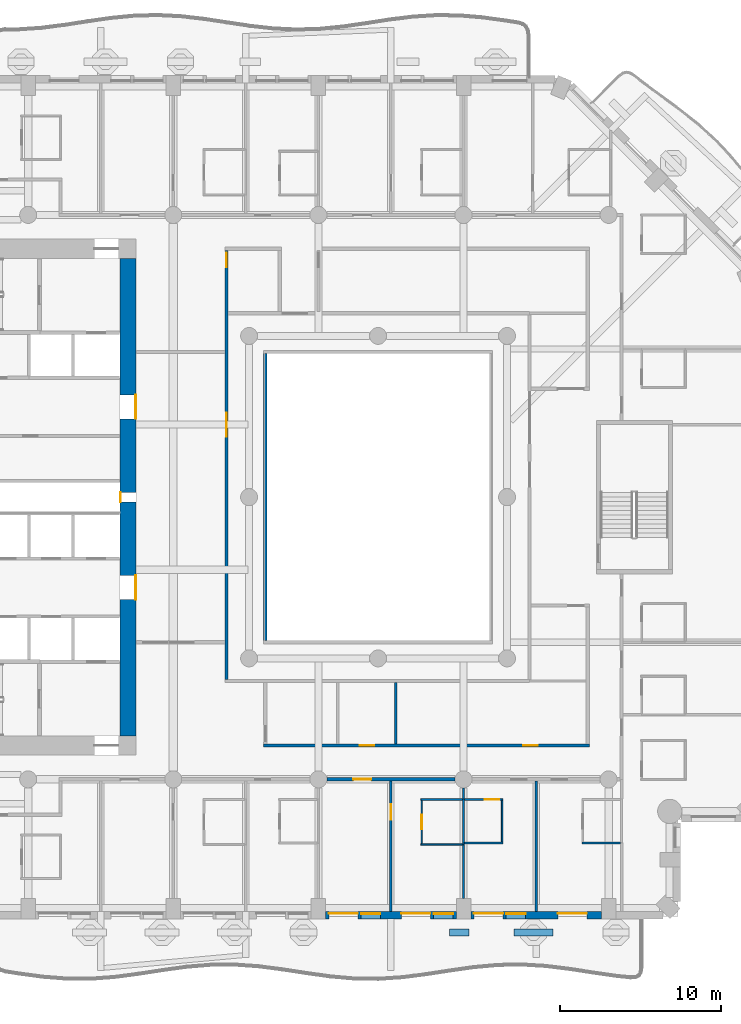
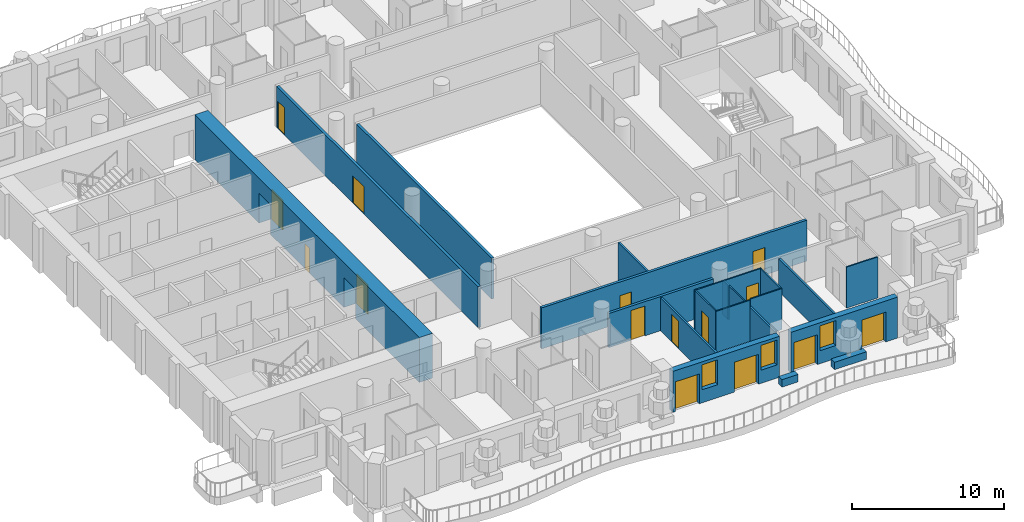
# One storey, part 5 of 20: 21 walls, 15 doors, 3 windows, 18 openings.
"""IFC4 building model written with IfcOpenShell, lengths in metres."""

from ifc_helpers import new_model, si_unit, direction, frame, frame_2d, origin, place, context, subcontext, project, spatial, rectangle, extrude, material, layer, layer_set, type_object, element, fill, save


model = new_model("IFC4")

# Units and contexts
model_context = context("Model", 3, precision=1e-05, world=origin(), true_north=direction((0.0, 1.0)))
body_context = subcontext(model_context, "Body", "Model", "MODEL_VIEW")
ifc_project = project(units=[si_unit("LENGTHUNIT", "METRE"), si_unit("AREAUNIT", "SQUARE_METRE"), si_unit("VOLUMEUNIT", "CUBIC_METRE"), si_unit("PLANEANGLEUNIT", "RADIAN"), si_unit("MASSUNIT", "GRAM", prefix="KILO")], contexts=[model_context])

# Site, building, storey
site_placement = place(None, origin())
site = spatial("IfcSite", under=ifc_project, at=site_placement, CompositionType="ELEMENT")
building_placement = place(site_placement, origin())
building = spatial("IfcBuilding", under=site, at=building_placement, Name="Cypress Arch Tower", CompositionType="ELEMENT")
storey_placement = place(building_placement, frame((0.0, 0.0, 113.10009765625)))
storey = spatial("IfcBuildingStorey", under=building, at=storey_placement, Name="L23", CompositionType="ELEMENT", Elevation=113.10009765625)

# Walls
ifc_material_1 = material(Name="Concrete C40/50, waterproofed", Category="concrete")
ifc_layer_1 = layer(ifc_material_1, 0.449951171875)
ifc_layer_set_1 = layer_set([ifc_layer_1], Name="Balcony planter wall PW450")
wall_type_1 = type_object("IfcWallType", Name="Balcony planter wall PW450", PredefinedType="SOLIDWALL", material=ifc_layer_set_1)
wall_1_placement = place(storey_placement, frame((5.419921875, -27.0, 0.0), z_axis=(0.0, 0.0, 1.0), x_axis=(1.0, 0.0, 0.0)))
element("IfcWall", 1, at=wall_1_placement, inside=storey, type_object=wall_type_1, Name="Balcony planter wall L23-A03.5", PredefinedType="SOLIDWALL", context=body_context, shape_type="SweptSolid", body=[
    extrude(rectangle(XDim=1.22998046875, YDim=0.449951171875, at=frame_2d((0.614990234375, 0.0))), origin(), (0.0, 0.0, 1.0), 0.599853515625),
])
wall_2_placement = place(storey_placement, frame((9.429931640625, -27.0, 0.0), z_axis=(0.0, 0.0, 1.0), x_axis=(1.0, 0.0, 0.0)))
element("IfcWall", 2, at=wall_2_placement, inside=storey, type_object=wall_type_1, Name="Balcony planter wall L23-A03.6", PredefinedType="SOLIDWALL", context=body_context, shape_type="SweptSolid", body=[
    extrude(rectangle(XDim=2.420166015625, YDim=0.449951171875, at=frame_2d((1.2099609375, 0.0))), origin(), (0.0, 0.0, 1.0), 0.599853515625),
])

# Wall, openings, doors, windows
ifc_material_2 = material(Name="Brick (red buff blend)", Category="masonry")
ifc_layer_2 = layer(ifc_material_2, 0.449951171875)
ifc_layer_set_2 = layer_set([ifc_layer_2], Name="Brick pier and spandrel wall BW450")
wall_type_2 = type_object("IfcWallType", Name="Brick pier and spandrel wall BW450", PredefinedType="SOLIDWALL", material=ifc_layer_set_2)
wall_3_placement = place(storey_placement, frame((-2.25, -25.925048828125, 0.0), z_axis=(0.0, 0.0, 1.0), x_axis=(1.0, 0.0, 0.0)))
wall_3 = element("IfcWall", 3, at=wall_3_placement, inside=storey, type_object=wall_type_2, Name="Brick wall L23 A03.3", PredefinedType="SOLIDWALL", context=body_context, shape_type="SweptSolid", body=[
    extrude(rectangle(XDim=8.10009765625, YDim=0.449951171875, at=frame_2d((4.050048828125, 0.0))), origin(), (0.0, 0.0, 1.0), 3.2998046875),
])
opening_1_placement = place(wall_3_placement, frame((0.199951171875, 0.0, 0.0)))
opening_1 = element("IfcOpeningElement", 4, at=opening_1_placement, cuts=wall_3, Name="Opening D-L23-A03.3.1", PredefinedType="OPENING", context=body_context, shape_type="SweptSolid", body=[
    extrude(rectangle(XDim=1.800048828125, YDim=2.39990234375, at=frame_2d((0.89990234375, 1.199951171875))), frame((0.0, 0.23486328125, 0.0), z_axis=(0.0, -1.0, 0.0), x_axis=(1.0, 0.0, 0.0)), (0.0, 0.0, 1.0), 0.469970703125),
])
opening_2_placement = place(wall_3_placement, frame((2.199951171875, 0.0, 1.050048828125)))
opening_2 = element("IfcOpeningElement", 5, at=opening_2_placement, cuts=wall_3, Name="Opening W120HD", PredefinedType="OPENING", context=body_context, shape_type="SweptSolid", body=[
    extrude(rectangle(XDim=1.199951171875, YDim=2.0, at=frame_2d((0.60009765625, 1.0))), frame((0.0, 0.23486328125, 0.0), z_axis=(0.0, -1.0, 0.0), x_axis=(1.0, 0.0, 0.0)), (0.0, 0.0, 1.0), 0.469970703125),
])
opening_3_placement = place(wall_3_placement, frame((4.699951171875, 0.0, 0.0)))
opening_3 = element("IfcOpeningElement", 6, at=opening_3_placement, cuts=wall_3, Name="Opening D-L23-A03.3.2", PredefinedType="OPENING", context=body_context, shape_type="SweptSolid", body=[
    extrude(rectangle(XDim=1.800048828125, YDim=2.39990234375, at=frame_2d((0.89990234375, 1.199951171875))), frame((0.0, 0.23486328125, 0.0), z_axis=(0.0, -1.0, 0.0), x_axis=(1.0, 0.0, 0.0)), (0.0, 0.0, 1.0), 0.469970703125),
])
opening_4_placement = place(wall_3_placement, frame((6.699951171875, 0.0, 1.050048828125)))
opening_4 = element("IfcOpeningElement", 7, at=opening_4_placement, cuts=wall_3, Name="Opening W120HD", PredefinedType="OPENING", context=body_context, shape_type="SweptSolid", body=[
    extrude(rectangle(XDim=1.199951171875, YDim=2.0, at=frame_2d((0.60009765625, 1.0))), frame((0.0, 0.23486328125, 0.0), z_axis=(0.0, -1.0, 0.0), x_axis=(1.0, 0.0, 0.0)), (0.0, 0.0, 1.0), 0.469970703125),
])
ifc_material_3 = material(Name="Anodised aluminium, bronze finish, laminated low-emissivity double glazing, large-missile impact rated", Category="aluminium")
door_type_1 = type_object("IfcDoorType", Name="Balcony sliding door 1800x2400", OperationType="SLIDING_TO_LEFT", PredefinedType="DOOR", material=ifc_material_3)
door_1_placement = place(opening_1_placement, origin())
door_1 = element("IfcDoor", 8, at=door_1_placement, inside=storey, type_object=door_type_1, Name="Balcony door L23 A03.3.1", OperationType="SLIDING_TO_LEFT", OverallHeight=2.39990234375, OverallWidth=1.800048828125, PredefinedType="DOOR", context=body_context, shape_type="SweptSolid", body=[
    extrude(rectangle(XDim=1.800048828125, YDim=2.39990234375, at=frame_2d((0.89990234375, 1.199951171875))), frame((0.0, 0.1298828125, 0.0), z_axis=(0.0, -1.0, 0.0), x_axis=(1.0, 0.0, 0.0)), (0.0, 0.0, 1.0), 0.050048828125),
])
fill(opening_1, door_1)
door_2_placement = place(opening_3_placement, origin())
door_2 = element("IfcDoor", 9, at=door_2_placement, inside=storey, type_object=door_type_1, Name="Balcony door L23 A03.3.2", OperationType="SLIDING_TO_LEFT", OverallHeight=2.39990234375, OverallWidth=1.800048828125, PredefinedType="DOOR", context=body_context, shape_type="SweptSolid", body=[
    extrude(rectangle(XDim=1.800048828125, YDim=2.39990234375, at=frame_2d((0.89990234375, 1.199951171875))), frame((0.0, 0.1298828125, 0.0), z_axis=(0.0, -1.0, 0.0), x_axis=(1.0, 0.0, 0.0)), (0.0, 0.0, 1.0), 0.050048828125),
])
fill(opening_3, door_2)
ifc_material_4 = material(Name="Anodised aluminium, bronze finish, laminated low-emissivity double glazing, large-missile impact rated", Category="aluminium")
window_type = type_object("IfcWindowType", Name="Window Hotel 1200x2000 debris-rated", PartitioningType="SINGLE_PANEL", PredefinedType="WINDOW", material=ifc_material_4)
window_1_placement = place(opening_2_placement, origin())
window_1 = element("IfcWindow", 10, at=window_1_placement, inside=storey, type_object=window_type, Name="Window L23 A03.3.1", OverallHeight=2.0, OverallWidth=1.199951171875, PartitioningType="SINGLE_PANEL", PredefinedType="WINDOW", context=body_context, shape_type="SweptSolid", body=[
    extrude(rectangle(XDim=1.199951171875, YDim=2.0, at=frame_2d((0.60009765625, 1.0))), frame((0.0, 0.135009765625, 0.0), z_axis=(0.0, -1.0, 0.0), x_axis=(1.0, 0.0, 0.0)), (0.0, 0.0, 1.0), 0.06005859375),
])
fill(opening_2, window_1)
window_2_placement = place(opening_4_placement, origin())
window_2 = element("IfcWindow", 11, at=window_2_placement, inside=storey, type_object=window_type, Name="Window L23 A03.3.2", OverallHeight=2.0, OverallWidth=1.199951171875, PartitioningType="SINGLE_PANEL", PredefinedType="WINDOW", context=body_context, shape_type="SweptSolid", body=[
    extrude(rectangle(XDim=1.199951171875, YDim=2.0, at=frame_2d((0.60009765625, 1.0))), frame((0.0, 0.135009765625, 0.0), z_axis=(0.0, -1.0, 0.0), x_axis=(1.0, 0.0, 0.0)), (0.0, 0.0, 1.0), 0.06005859375),
])
fill(opening_4, window_2)

# Wall, openings, doors, window
wall_4_placement = place(storey_placement, frame((6.75, -25.925048828125, 0.0), z_axis=(0.0, 0.0, 1.0), x_axis=(1.0, 0.0, 0.0)))
wall_4 = element("IfcWall", 12, at=wall_4_placement, inside=storey, type_object=wall_type_2, Name="Brick wall L23 A03.4", PredefinedType="SOLIDWALL", context=body_context, shape_type="SweptSolid", body=[
    extrude(rectangle(XDim=8.10009765625, YDim=0.449951171875, at=frame_2d((4.050048828125, 0.0))), origin(), (0.0, 0.0, 1.0), 3.2998046875),
])
opening_5_placement = place(wall_4_placement, frame((0.199951171875, 0.0, 0.0)))
opening_5 = element("IfcOpeningElement", 13, at=opening_5_placement, cuts=wall_4, Name="Opening D-L23-A03.4.1", PredefinedType="OPENING", context=body_context, shape_type="SweptSolid", body=[
    extrude(rectangle(XDim=1.800048828125, YDim=2.39990234375, at=frame_2d((0.89990234375, 1.199951171875))), frame((0.0, 0.23486328125, 0.0), z_axis=(0.0, -1.0, 0.0), x_axis=(1.0, 0.0, 0.0)), (0.0, 0.0, 1.0), 0.469970703125),
])
opening_6_placement = place(wall_4_placement, frame((2.199951171875, 0.0, 1.050048828125)))
opening_6 = element("IfcOpeningElement", 14, at=opening_6_placement, cuts=wall_4, Name="Opening W120HD", PredefinedType="OPENING", context=body_context, shape_type="SweptSolid", body=[
    extrude(rectangle(XDim=1.199951171875, YDim=2.0, at=frame_2d((0.60009765625, 1.0))), frame((0.0, 0.23486328125, 0.0), z_axis=(0.0, -1.0, 0.0), x_axis=(1.0, 0.0, 0.0)), (0.0, 0.0, 1.0), 0.469970703125),
])
opening_7_placement = place(wall_4_placement, frame((5.39990234375, 0.0, 0.0)))
opening_7 = element("IfcOpeningElement", 15, at=opening_7_placement, cuts=wall_4, Name="Opening D-L23-A03.4.2", PredefinedType="OPENING", context=body_context, shape_type="SweptSolid", body=[
    extrude(rectangle(XDim=1.800048828125, YDim=2.39990234375, at=frame_2d((0.89990234375, 1.199951171875))), frame((0.0, 0.23486328125, 0.0), z_axis=(0.0, -1.0, 0.0), x_axis=(1.0, 0.0, 0.0)), (0.0, 0.0, 1.0), 0.469970703125),
])
door_3_placement = place(opening_5_placement, origin())
door_3 = element("IfcDoor", 16, at=door_3_placement, inside=storey, type_object=door_type_1, Name="Balcony door L23 A03.4.1", OperationType="SLIDING_TO_LEFT", OverallHeight=2.39990234375, OverallWidth=1.800048828125, PredefinedType="DOOR", context=body_context, shape_type="SweptSolid", body=[
    extrude(rectangle(XDim=1.800048828125, YDim=2.39990234375, at=frame_2d((0.89990234375, 1.199951171875))), frame((0.0, 0.1298828125, 0.0), z_axis=(0.0, -1.0, 0.0), x_axis=(1.0, 0.0, 0.0)), (0.0, 0.0, 1.0), 0.050048828125),
])
fill(opening_5, door_3)
door_4_placement = place(opening_7_placement, origin())
door_4 = element("IfcDoor", 17, at=door_4_placement, inside=storey, type_object=door_type_1, Name="Balcony door L23 A03.4.2", OperationType="SLIDING_TO_LEFT", OverallHeight=2.39990234375, OverallWidth=1.800048828125, PredefinedType="DOOR", context=body_context, shape_type="SweptSolid", body=[
    extrude(rectangle(XDim=1.800048828125, YDim=2.39990234375, at=frame_2d((0.89990234375, 1.199951171875))), frame((0.0, 0.1298828125, 0.0), z_axis=(0.0, -1.0, 0.0), x_axis=(1.0, 0.0, 0.0)), (0.0, 0.0, 1.0), 0.050048828125),
])
fill(opening_7, door_4)
window_3_placement = place(opening_6_placement, origin())
window_3 = element("IfcWindow", 18, at=window_3_placement, inside=storey, type_object=window_type, Name="Window L23 A03.4.1", OverallHeight=2.0, OverallWidth=1.199951171875, PartitioningType="SINGLE_PANEL", PredefinedType="WINDOW", context=body_context, shape_type="SweptSolid", body=[
    extrude(rectangle(XDim=1.199951171875, YDim=2.0, at=frame_2d((0.60009765625, 1.0))), frame((0.0, 0.135009765625, 0.0), z_axis=(0.0, -1.0, 0.0), x_axis=(1.0, 0.0, 0.0)), (0.0, 0.0, 1.0), 0.06005859375),
])
fill(opening_6, window_3)

# Wall, openings, doors
ifc_material_5 = material(Name="Concrete C80/95", Category="concrete")
ifc_layer_3 = layer(ifc_material_5, 1.0)
ifc_layer_set_3 = layer_set([ifc_layer_3], Name="Core wall CW1000 C80/95")
wall_type_3 = type_object("IfcWallType", Name="Core wall CW1000 C80/95", PredefinedType="SHEAR", material=ifc_layer_set_3)
wall_5_placement = place(storey_placement, frame((-14.5, -14.800048828125, 0.0), z_axis=(0.0, 0.0, 1.0), x_axis=(0.0, 1.0, 0.0)))
wall_5 = element("IfcWall", 19, at=wall_5_placement, inside=storey, type_object=wall_type_3, Name="Core wall", PredefinedType="SHEAR", context=body_context, shape_type="SweptSolid", body=[
    extrude(rectangle(XDim=29.60009765625, YDim=1.0, at=frame_2d((14.800048828125, 0.0))), origin(), (0.0, 0.0, 1.0), 3.599853515625),
])
opening_8_placement = place(wall_5_placement, frame((8.449951171875, 0.0, 0.0)))
opening_8 = element("IfcOpeningElement", 20, at=opening_8_placement, cuts=wall_5, Name="Opening D07", PredefinedType="OPENING", context=body_context, shape_type="SweptSolid", body=[
    extrude(rectangle(XDim=1.5, YDim=2.39990234375, at=frame_2d((0.75, 1.199951171875))), frame((0.0, 0.510009765625, 0.0), z_axis=(0.0, -1.0, 0.0), x_axis=(1.0, 0.0, 0.0)), (0.0, 0.0, 1.0), 1.02001953125),
])
opening_9_placement = place(wall_5_placement, frame((19.64990234375, 0.0, 0.0)))
opening_9 = element("IfcOpeningElement", 21, at=opening_9_placement, cuts=wall_5, Name="Opening D07", PredefinedType="OPENING", context=body_context, shape_type="SweptSolid", body=[
    extrude(rectangle(XDim=1.5, YDim=2.39990234375, at=frame_2d((0.75, 1.199951171875))), frame((0.0, 0.510009765625, 0.0), z_axis=(0.0, -1.0, 0.0), x_axis=(1.0, 0.0, 0.0)), (0.0, 0.0, 1.0), 1.02001953125),
])
opening_10_placement = place(wall_5_placement, frame((14.5, 0.0, 0.0)))
opening_10 = element("IfcOpeningElement", 22, at=opening_10_placement, cuts=wall_5, Name="Opening D08", PredefinedType="OPENING", context=body_context, shape_type="SweptSolid", body=[
    extrude(rectangle(XDim=0.60009765625, YDim=2.0, at=frame_2d((0.300048828125, 1.0))), frame((0.0, 0.510009765625, 0.0), z_axis=(0.0, -1.0, 0.0), x_axis=(1.0, 0.0, 0.0)), (0.0, 0.0, 1.0), 1.02001953125),
])
ifc_material_6 = material(Name="Steel framed glazed door, fire resisting", Category="steel")
door_type_2 = type_object("IfcDoorType", Name="Lobby door D07 1500x2400", OperationType="DOUBLE_DOOR_SINGLE_SWING", PredefinedType="DOOR", material=ifc_material_6)
door_5_placement = place(opening_8_placement, origin())
door_5 = element("IfcDoor", 23, at=door_5_placement, inside=storey, type_object=door_type_2, Name="Lobby door", OperationType="DOUBLE_DOOR_SINGLE_SWING", OverallHeight=2.39990234375, OverallWidth=1.5, PredefinedType="DOOR", context=body_context, shape_type="SweptSolid", body=[
    extrude(rectangle(XDim=1.5, YDim=2.39990234375, at=frame_2d((0.75, 1.199951171875))), frame((0.0, -0.44482421875, 0.0), z_axis=(0.0, -1.0, 0.0), x_axis=(1.0, 0.0, 0.0)), (0.0, 0.0, 1.0), 0.050048828125),
])
fill(opening_8, door_5)
door_6_placement = place(opening_9_placement, origin())
door_6 = element("IfcDoor", 24, at=door_6_placement, inside=storey, type_object=door_type_2, Name="Lobby door", OperationType="DOUBLE_DOOR_SINGLE_SWING", OverallHeight=2.39990234375, OverallWidth=1.5, PredefinedType="DOOR", context=body_context, shape_type="SweptSolid", body=[
    extrude(rectangle(XDim=1.5, YDim=2.39990234375, at=frame_2d((0.75, 1.199951171875))), frame((0.0, -0.44482421875, 0.0), z_axis=(0.0, -1.0, 0.0), x_axis=(1.0, 0.0, 0.0)), (0.0, 0.0, 1.0), 0.050048828125),
])
fill(opening_9, door_6)
ifc_material_7 = material(Name="Steel access door, fire resisting", Category="steel")
door_type_3 = type_object("IfcDoorType", Name="Riser access door D08 600x2000", OperationType="SINGLE_SWING_LEFT", PredefinedType="DOOR", material=ifc_material_7)
door_7_placement = place(opening_10_placement, origin())
door_7 = element("IfcDoor", 25, at=door_7_placement, inside=storey, type_object=door_type_3, Name="Riser access door", OperationType="SINGLE_SWING_RIGHT", OverallHeight=2.0, OverallWidth=0.60009765625, PredefinedType="DOOR", context=body_context, shape_type="SweptSolid", body=[
    extrude(rectangle(XDim=0.60009765625, YDim=2.0, at=frame_2d((0.300048828125, 1.0))), frame((0.0, 0.4951171875, 0.0), z_axis=(0.0, -1.0, 0.0), x_axis=(1.0, 0.0, 0.0)), (0.0, 0.0, 1.0), 0.050048828125),
])
fill(opening_10, door_7)

# Wall, opening, door
ifc_material_8 = material(Name="Concrete blockwork, plastered, rated", Category="masonry")
ifc_layer_4 = layer(ifc_material_8, 0.199951171875)
ifc_layer_set_4 = layer_set([ifc_layer_4], Name="Corridor wall FW200")
wall_type_4 = type_object("IfcWallType", Name="Corridor wall FW200", PredefinedType="PARTITIONING", material=ifc_layer_set_4)
wall_6_placement = place(storey_placement, frame((-2.175048828125, -17.5, 0.0), z_axis=(0.0, 0.0, 1.0), x_axis=(1.0, 0.0, 0.0)))
wall_6 = element("IfcWall", 26, at=wall_6_placement, inside=storey, type_object=wall_type_4, Name="Corridor wall", PredefinedType="PARTITIONING", context=body_context, shape_type="SweptSolid", body=[
    extrude(rectangle(XDim=7.949951171875, YDim=0.199951171875, at=frame_2d((3.97509765625, 0.0))), origin(), (0.0, 0.0, 1.0), 2.75),
])
opening_11_placement = place(wall_6_placement, frame((1.64990234375, 0.0, 0.0)))
opening_11 = element("IfcOpeningElement", 27, at=opening_11_placement, cuts=wall_6, Name="Opening D01", PredefinedType="OPENING", context=body_context, shape_type="SweptSolid", body=[
    extrude(rectangle(XDim=1.10009765625, YDim=2.39990234375, at=frame_2d((0.550048828125, 1.199951171875))), frame((0.0, 0.10986328125, 0.0), z_axis=(0.0, -1.0, 0.0), x_axis=(1.0, 0.0, 0.0)), (0.0, 0.0, 1.0), 0.219970703125),
])
ifc_material_9 = material(Name="Timber flush door, fire resisting, self-closing", Category="wood")
door_type_4 = type_object("IfcDoorType", Name="Unit entrance door D01 1100x2400", OperationType="SINGLE_SWING_LEFT", PredefinedType="DOOR", material=ifc_material_9)
door_8_placement = place(opening_11_placement, origin())
door_8 = element("IfcDoor", 28, at=door_8_placement, inside=storey, type_object=door_type_4, Name="Unit entrance door", OperationType="SINGLE_SWING_LEFT", OverallHeight=2.39990234375, OverallWidth=1.10009765625, PredefinedType="DOOR", context=body_context, shape_type="SweptSolid", body=[
    extrude(rectangle(XDim=1.10009765625, YDim=2.39990234375, at=frame_2d((0.550048828125, 1.199951171875))), frame((0.0, 0.02490234375, 0.0), z_axis=(0.0, -1.0, 0.0), x_axis=(1.0, 0.0, 0.0)), (0.0, 0.0, 1.0), 0.050048828125),
])
fill(opening_11, door_8)

# Wall, openings, doors
wall_7_placement = place(storey_placement, frame((-8.39990234375, -11.300048828125, 0.0), z_axis=(0.0, 0.0, 1.0), x_axis=(0.0, 1.0, 0.0)))
wall_7 = element("IfcWall", 29, at=wall_7_placement, inside=storey, type_object=wall_type_4, Name="Corridor wall", PredefinedType="PARTITIONING", context=body_context, shape_type="SweptSolid", body=[
    extrude(rectangle(XDim=26.60009765625, YDim=0.199951171875, at=frame_2d((13.300048828125, 0.0))), origin(), (0.0, 0.0, 1.0), 3.2998046875),
])
opening_12_placement = place(wall_7_placement, frame((15.050048828125, 0.0, 0.0)))
opening_12 = element("IfcOpeningElement", 30, at=opening_12_placement, cuts=wall_7, Name="Opening D04", PredefinedType="OPENING", context=body_context, shape_type="SweptSolid", body=[
    extrude(rectangle(XDim=1.5, YDim=2.199951171875, at=frame_2d((0.75, 1.10009765625))), frame((0.0, 0.10986328125, 0.0), z_axis=(0.0, -1.0, 0.0), x_axis=(1.0, 0.0, 0.0)), (0.0, 0.0, 1.0), 0.219970703125),
])
opening_13_placement = place(wall_7_placement, frame((25.550048828125, 0.0, 0.0)))
opening_13 = element("IfcOpeningElement", 31, at=opening_13_placement, cuts=wall_7, Name="Opening D05", PredefinedType="OPENING", context=body_context, shape_type="SweptSolid", body=[
    extrude(rectangle(XDim=0.89990234375, YDim=2.199951171875, at=frame_2d((0.449951171875, 1.10009765625))), frame((0.0, 0.10986328125, 0.0), z_axis=(0.0, -1.0, 0.0), x_axis=(1.0, 0.0, 0.0)), (0.0, 0.0, 1.0), 0.219970703125),
])
ifc_material_10 = material(Name="Timber double door", Category="wood")
door_type_5 = type_object("IfcDoorType", Name="Double door D04 1500x2200", OperationType="DOUBLE_DOOR_SINGLE_SWING", PredefinedType="DOOR", material=ifc_material_10)
door_9_placement = place(opening_12_placement, origin())
door_9 = element("IfcDoor", 32, at=door_9_placement, inside=storey, type_object=door_type_5, Name="Double door", OperationType="DOUBLE_DOOR_SINGLE_SWING", OverallHeight=2.199951171875, OverallWidth=1.5, PredefinedType="DOOR", context=body_context, shape_type="SweptSolid", body=[
    extrude(rectangle(XDim=1.5, YDim=2.199951171875, at=frame_2d((0.75, 1.10009765625))), frame((0.0, 0.02490234375, 0.0), z_axis=(0.0, -1.0, 0.0), x_axis=(1.0, 0.0, 0.0)), (0.0, 0.0, 1.0), 0.050048828125),
])
fill(opening_12, door_9)
ifc_material_11 = material(Name="Timber flush door", Category="wood")
door_type_6 = type_object("IfcDoorType", Name="Service door D05 900x2200", OperationType="SINGLE_SWING_LEFT", PredefinedType="DOOR", material=ifc_material_11)
door_10_placement = place(opening_13_placement, origin())
door_10 = element("IfcDoor", 33, at=door_10_placement, inside=storey, type_object=door_type_6, Name="Service door", OperationType="SINGLE_SWING_LEFT", OverallHeight=2.199951171875, OverallWidth=0.89990234375, PredefinedType="DOOR", context=body_context, shape_type="SweptSolid", body=[
    extrude(rectangle(XDim=0.89990234375, YDim=2.199951171875, at=frame_2d((0.449951171875, 1.10009765625))), frame((0.0, 0.02490234375, 0.0), z_axis=(0.0, -1.0, 0.0), x_axis=(1.0, 0.0, 0.0)), (0.0, 0.0, 1.0), 0.050048828125),
])
fill(opening_13, door_10)

wall_8_placement = place(storey_placement, frame((-6.10009765625, -15.39990234375, 0.0), z_axis=(0.0, 0.0, 1.0), x_axis=(1.0, 0.0, 0.0)))
wall_8 = element("IfcWall", 34, at=wall_8_placement, inside=storey, type_object=wall_type_4, Name="Corridor wall", PredefinedType="PARTITIONING", context=body_context, shape_type="SweptSolid", body=[
    extrude(rectangle(XDim=20.2001953125, YDim=0.199951171875, at=frame_2d((10.10009765625, 0.0))), origin(), (0.0, 0.0, 1.0), 3.2998046875),
])
opening_14_placement = place(wall_8_placement, frame((5.949951171875, 0.0, 0.0)))
opening_14 = element("IfcOpeningElement", 35, at=opening_14_placement, cuts=wall_8, Name="Opening D05", PredefinedType="OPENING", context=body_context, shape_type="SweptSolid", body=[
    extrude(rectangle(XDim=0.89990234375, YDim=2.199951171875, at=frame_2d((0.449951171875, 1.10009765625))), frame((0.0, 0.10986328125, 0.0), z_axis=(0.0, -1.0, 0.0), x_axis=(1.0, 0.0, 0.0)), (0.0, 0.0, 1.0), 0.219970703125),
])
opening_15_placement = place(wall_8_placement, frame((16.10009765625, 0.0, 0.0)))
opening_15 = element("IfcOpeningElement", 36, at=opening_15_placement, cuts=wall_8, Name="Opening D05", PredefinedType="OPENING", context=body_context, shape_type="SweptSolid", body=[
    extrude(rectangle(XDim=0.89990234375, YDim=2.199951171875, at=frame_2d((0.449951171875, 1.10009765625))), frame((0.0, 0.10986328125, 0.0), z_axis=(0.0, -1.0, 0.0), x_axis=(1.0, 0.0, 0.0)), (0.0, 0.0, 1.0), 0.219970703125),
])
door_11_placement = place(opening_14_placement, origin())
door_11 = element("IfcDoor", 37, at=door_11_placement, inside=storey, type_object=door_type_6, Name="Service door", OperationType="SINGLE_SWING_LEFT", OverallHeight=2.199951171875, OverallWidth=0.89990234375, PredefinedType="DOOR", context=body_context, shape_type="SweptSolid", body=[
    extrude(rectangle(XDim=0.89990234375, YDim=2.199951171875, at=frame_2d((0.449951171875, 1.10009765625))), frame((0.0, 0.02490234375, 0.0), z_axis=(0.0, -1.0, 0.0), x_axis=(1.0, 0.0, 0.0)), (0.0, 0.0, 1.0), 0.050048828125),
])
fill(opening_14, door_11)
door_12_placement = place(opening_15_placement, origin())
door_12 = element("IfcDoor", 38, at=door_12_placement, inside=storey, type_object=door_type_6, Name="Service door", OperationType="SINGLE_SWING_RIGHT", OverallHeight=2.199951171875, OverallWidth=0.89990234375, PredefinedType="DOOR", context=body_context, shape_type="SweptSolid", body=[
    extrude(rectangle(XDim=0.89990234375, YDim=2.199951171875, at=frame_2d((0.449951171875, 1.10009765625))), frame((0.0, 0.02490234375, 0.0), z_axis=(0.0, -1.0, 0.0), x_axis=(1.0, 0.0, 0.0)), (0.0, 0.0, 1.0), 0.050048828125),
])
fill(opening_15, door_12)

# Wall
wall_9_placement = place(storey_placement, frame((-6.0, -8.89990234375, 0.0), z_axis=(0.0, 0.0, 1.0), x_axis=(0.0, 1.0, 0.0)))
element("IfcWall", 39, at=wall_9_placement, inside=storey, type_object=wall_type_4, Name="Corridor wall", PredefinedType="PARTITIONING", context=body_context, shape_type="SweptSolid", body=[
    extrude(rectangle(XDim=17.7998046875, YDim=0.199951171875, at=frame_2d((8.89990234375, 0.0))), origin(), (0.0, 0.0, 1.0), 3.2998046875),
])

# Wall, opening, door
ifc_material_12 = material(Name="Blockwork, plastered both sides", Category="masonry")
ifc_layer_5 = layer(ifc_material_12, 0.14990234375)
ifc_layer_set_5 = layer_set([ifc_layer_5], Name="Partition PW150")
wall_type_5 = type_object("IfcWallType", Name="Partition PW150", PredefinedType="PARTITIONING", material=ifc_layer_set_5)
wall_10_placement = place(storey_placement, frame((1.800048828125, -25.699951171875, 0.0), z_axis=(0.0, 0.0, 1.0), x_axis=(0.0, 1.0, 0.0)))
wall_10 = element("IfcWall", 40, at=wall_10_placement, inside=storey, type_object=wall_type_5, Name="Partition", PredefinedType="PARTITIONING", context=body_context, shape_type="SweptSolid", body=[
    extrude(rectangle(XDim=8.099853515625, YDim=0.14990234375, at=frame_2d((4.0498046875, 0.0))), origin(), (0.0, 0.0, 1.0), 2.64990234375),
])
opening_16_placement = place(wall_10_placement, frame((5.699951171875, 0.0, 0.0)))
opening_16 = element("IfcOpeningElement", 41, at=opening_16_placement, cuts=wall_10, Name="Opening D12", PredefinedType="OPENING", context=body_context, shape_type="SweptSolid", body=[
    extrude(rectangle(XDim=0.949951171875, YDim=2.199951171875, at=frame_2d((0.47509765625, 1.10009765625))), frame((0.0, 0.0849609375, 0.0), z_axis=(0.0, -1.0, 0.0), x_axis=(1.0, 0.0, 0.0)), (0.0, 0.0, 1.0), 0.169921875),
])
ifc_material_13 = material(Name="Timber flush door", Category="wood")
door_type_7 = type_object("IfcDoorType", Name="Room door D12 950x2200", OperationType="SINGLE_SWING_LEFT", PredefinedType="DOOR", material=ifc_material_13)
door_13_placement = place(opening_16_placement, origin())
door_13 = element("IfcDoor", 42, at=door_13_placement, inside=storey, type_object=door_type_7, Name="Room door", OperationType="SINGLE_SWING_RIGHT", OverallHeight=2.199951171875, OverallWidth=0.949951171875, PredefinedType="DOOR", context=body_context, shape_type="SweptSolid", body=[
    extrude(rectangle(XDim=0.949951171875, YDim=2.199951171875, at=frame_2d((0.47509765625, 1.10009765625))), frame((0.0, 0.02490234375, 0.0), z_axis=(0.0, -1.0, 0.0), x_axis=(1.0, 0.0, 0.0)), (0.0, 0.0, 1.0), 0.050048828125),
])
fill(opening_16, door_13)

# Walls
wall_11_placement = place(storey_placement, frame((2.10009765625, -15.300048828125, 0.0), z_axis=(0.0, 0.0, 1.0), x_axis=(0.0, 1.0, 0.0)))
element("IfcWall", 43, at=wall_11_placement, inside=storey, type_object=wall_type_5, Name="Partition", PredefinedType="PARTITIONING", context=body_context, shape_type="SweptSolid", body=[
    extrude(rectangle(XDim=3.800048828125, YDim=0.14990234375, at=frame_2d((1.89990234375, 0.0))), origin(), (0.0, 0.0, 1.0), 3.2998046875),
])
wall_12_placement = place(storey_placement, frame((6.300048828125, -24.89990234375, 0.0), z_axis=(0.0, 0.0, 1.0), x_axis=(0.0, 1.0, 0.0)))
element("IfcWall", 44, at=wall_12_placement, inside=storey, type_object=wall_type_5, Name="Partition", PredefinedType="PARTITIONING", context=body_context, shape_type="SweptSolid", body=[
    extrude(rectangle(XDim=3.349853515625, YDim=0.14990234375, at=frame_2d((1.6748046875, 0.0))), origin(), (0.0, 0.0, 1.0), 2.75),
])
wall_13_placement = place(storey_placement, frame((6.300048828125, -18.72998046875, 0.0), z_axis=(0.0, 0.0, 1.0), x_axis=(0.0, 1.0, 0.0)))
element("IfcWall", 45, at=wall_13_placement, inside=storey, type_object=wall_type_5, Name="Partition", PredefinedType="PARTITIONING", context=body_context, shape_type="SweptSolid", body=[
    extrude(rectangle(XDim=0.705078125, YDim=0.14990234375, at=frame_2d((0.3525390625, 0.0))), origin(), (0.0, 0.0, 1.0), 2.75),
])
wall_14_placement = place(storey_placement, frame((10.800048828125, -25.699951171875, 0.0), z_axis=(0.0, 0.0, 1.0), x_axis=(0.0, 1.0, 0.0)))
element("IfcWall", 46, at=wall_14_placement, inside=storey, type_object=wall_type_5, Name="Partition", PredefinedType="PARTITIONING", context=body_context, shape_type="SweptSolid", body=[
    extrude(rectangle(XDim=8.099853515625, YDim=0.14990234375, at=frame_2d((4.0498046875, 0.0))), origin(), (0.0, 0.0, 1.0), 2.64990234375),
])

# Wall, opening, door
ifc_material_14 = material(Name="Moisture resistant board on steel studs, tiled", Category="steel")
ifc_layer_6 = layer(ifc_material_14, 0.10009765625)
ifc_layer_set_6 = layer_set([ifc_layer_6], Name="Wet wall PW100")
wall_type_6 = type_object("IfcWallType", Name="Wet wall PW100", PredefinedType="PARTITIONING", material=ifc_layer_set_6)
wall_15_placement = place(storey_placement, frame((3.7041015625, -21.5, 0.0), z_axis=(0.0, 0.0, 1.0), x_axis=(0.0, 1.0, 0.0)))
wall_15 = element("IfcWall", 47, at=wall_15_placement, inside=storey, type_object=wall_type_6, Name="Wet wall", PredefinedType="PARTITIONING", context=body_context, shape_type="SweptSolid", body=[
    extrude(rectangle(XDim=2.699951171875, YDim=0.10009765625, at=frame_2d((1.35009765625, 0.0))), origin(), (0.0, 0.0, 1.0), 3.2998046875),
])
opening_17_placement = place(wall_15_placement, frame((0.89990234375, 0.0, 0.0)))
opening_17 = element("IfcOpeningElement", 48, at=opening_17_placement, cuts=wall_15, Name="Opening D03", PredefinedType="OPENING", context=body_context, shape_type="SweptSolid", body=[
    extrude(rectangle(XDim=0.89990234375, YDim=2.199951171875, at=frame_2d((0.449951171875, 1.10009765625))), frame((0.0, 0.06005859375, 0.0), z_axis=(0.0, -1.0, 0.0), x_axis=(1.0, 0.0, 0.0)), (0.0, 0.0, 1.0), 0.1201171875),
])
ifc_material_15 = material(Name="Timber flush door, moisture resistant", Category="wood")
door_type_8 = type_object("IfcDoorType", Name="Bathroom door D03 900x2200", OperationType="SINGLE_SWING_LEFT", PredefinedType="DOOR", material=ifc_material_15)
door_14_placement = place(opening_17_placement, origin())
door_14 = element("IfcDoor", 49, at=door_14_placement, inside=storey, type_object=door_type_8, Name="Bathroom door", OperationType="SINGLE_SWING_LEFT", OverallHeight=2.199951171875, OverallWidth=0.89990234375, PredefinedType="DOOR", context=body_context, shape_type="SweptSolid", body=[
    extrude(rectangle(XDim=0.89990234375, YDim=2.199951171875, at=frame_2d((0.449951171875, 1.10009765625))), frame((0.0, 0.02490234375, 0.0), z_axis=(0.0, -1.0, 0.0), x_axis=(1.0, 0.0, 0.0)), (0.0, 0.0, 1.0), 0.050048828125),
])
fill(opening_17, door_14)

# Wall
wall_16_placement = place(storey_placement, frame((3.654052734375, -21.550048828125, 0.0), z_axis=(0.0, 0.0, 1.0), x_axis=(1.0, 0.0, 0.0)))
element("IfcWall", 50, at=wall_16_placement, inside=storey, type_object=wall_type_6, Name="Wet wall", PredefinedType="PARTITIONING", context=body_context, shape_type="SweptSolid", body=[
    extrude(rectangle(XDim=2.571044921875, YDim=0.10009765625, at=frame_2d((1.28564453125, 0.0))), origin(), (0.0, 0.0, 1.0), 3.2998046875),
])

# Wall, opening, door
wall_17_placement = place(storey_placement, frame((3.654052734375, -18.75, 0.0), z_axis=(0.0, 0.0, 1.0), x_axis=(1.0, 0.0, 0.0)))
wall_17 = element("IfcWall", 51, at=wall_17_placement, inside=storey, type_object=wall_type_6, Name="Wet wall", PredefinedType="PARTITIONING", context=body_context, shape_type="SweptSolid", body=[
    extrude(rectangle(XDim=5.092041015625, YDim=0.10009765625, at=frame_2d((2.5458984375, 0.0))), origin(), (0.0, 0.0, 1.0), 3.2998046875),
])
opening_18_placement = place(wall_17_placement, frame((3.949951171875, 0.0, 0.0)))
opening_18 = element("IfcOpeningElement", 52, at=opening_18_placement, cuts=wall_17, Name="Opening D03", PredefinedType="OPENING", context=body_context, shape_type="SweptSolid", body=[
    extrude(rectangle(XDim=0.89990234375, YDim=2.199951171875, at=frame_2d((0.449951171875, 1.10009765625))), frame((0.0, 0.06005859375, 0.0), z_axis=(0.0, -1.0, 0.0), x_axis=(1.0, 0.0, 0.0)), (0.0, 0.0, 1.0), 0.1201171875),
])
door_15_placement = place(opening_18_placement, origin())
door_15 = element("IfcDoor", 53, at=door_15_placement, inside=storey, type_object=door_type_8, Name="Bathroom door", OperationType="SINGLE_SWING_LEFT", OverallHeight=2.199951171875, OverallWidth=0.89990234375, PredefinedType="DOOR", context=body_context, shape_type="SweptSolid", body=[
    extrude(rectangle(XDim=0.89990234375, YDim=2.199951171875, at=frame_2d((0.449951171875, 1.10009765625))), frame((0.0, 0.02490234375, 0.0), z_axis=(0.0, -1.0, 0.0), x_axis=(1.0, 0.0, 0.0)), (0.0, 0.0, 1.0), 0.050048828125),
])
fill(opening_18, door_15)

# Walls
wall_18_placement = place(storey_placement, frame((6.300048828125, -21.550048828125, 0.0), z_axis=(0.0, 0.0, 1.0), x_axis=(0.0, 1.0, 0.0)))
element("IfcWall", 54, at=wall_18_placement, inside=storey, type_object=wall_type_6, Name="Wet wall", PredefinedType="PARTITIONING", context=body_context, shape_type="SweptSolid", body=[
    extrude(rectangle(XDim=2.820068359375, YDim=0.10009765625, at=frame_2d((1.41015625, 0.0))), origin(), (0.0, 0.0, 1.0), 2.75),
])
wall_19_placement = place(storey_placement, frame((6.35009765625, -21.449951171875, 0.0), z_axis=(0.0, 0.0, 1.0), x_axis=(1.0, 0.0, 0.0)))
element("IfcWall", 55, at=wall_19_placement, inside=storey, type_object=wall_type_6, Name="Wet wall", PredefinedType="PARTITIONING", context=body_context, shape_type="SweptSolid", body=[
    extrude(rectangle(XDim=2.39599609375, YDim=0.10009765625, at=frame_2d((1.197998046875, 0.0))), origin(), (0.0, 0.0, 1.0), 3.2998046875),
])
wall_20_placement = place(storey_placement, frame((8.696044921875, -21.39990234375, 0.0), z_axis=(0.0, 0.0, 1.0), x_axis=(0.0, 1.0, 0.0)))
element("IfcWall", 56, at=wall_20_placement, inside=storey, type_object=wall_type_6, Name="Wet wall", PredefinedType="PARTITIONING", context=body_context, shape_type="SweptSolid", body=[
    extrude(rectangle(XDim=2.599853515625, YDim=0.10009765625, at=frame_2d((1.2998046875, 0.0))), origin(), (0.0, 0.0, 1.0), 3.2998046875),
])
wall_21_placement = place(storey_placement, frame((13.64990234375, -21.449951171875, 0.0), z_axis=(0.0, 0.0, 1.0), x_axis=(1.0, 0.0, 0.0)))
element("IfcWall", 57, at=wall_21_placement, inside=storey, type_object=wall_type_6, Name="Wet wall", PredefinedType="PARTITIONING", context=body_context, shape_type="SweptSolid", body=[
    extrude(rectangle(XDim=2.375, YDim=0.10009765625, at=frame_2d((1.1875, 0.0))), origin(), (0.0, 0.0, 1.0), 3.2998046875),
])

save(model, "model.ifc")
